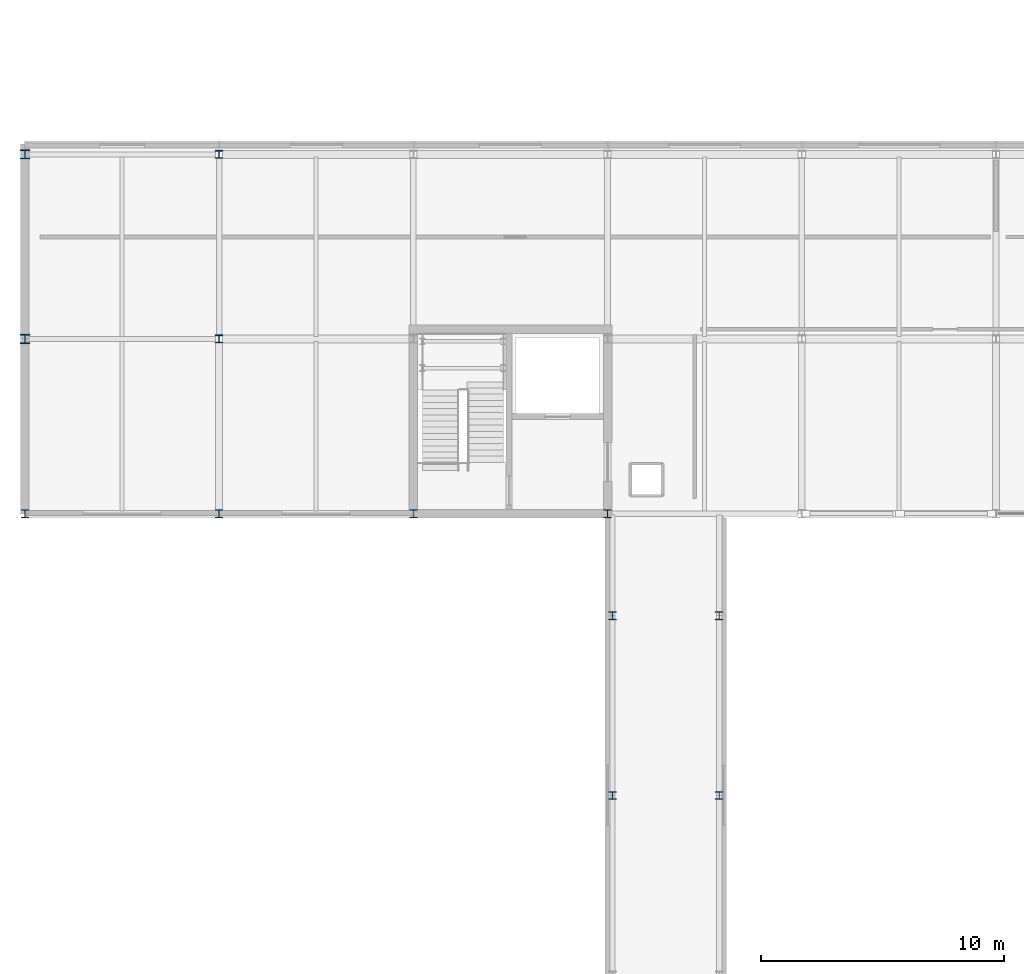
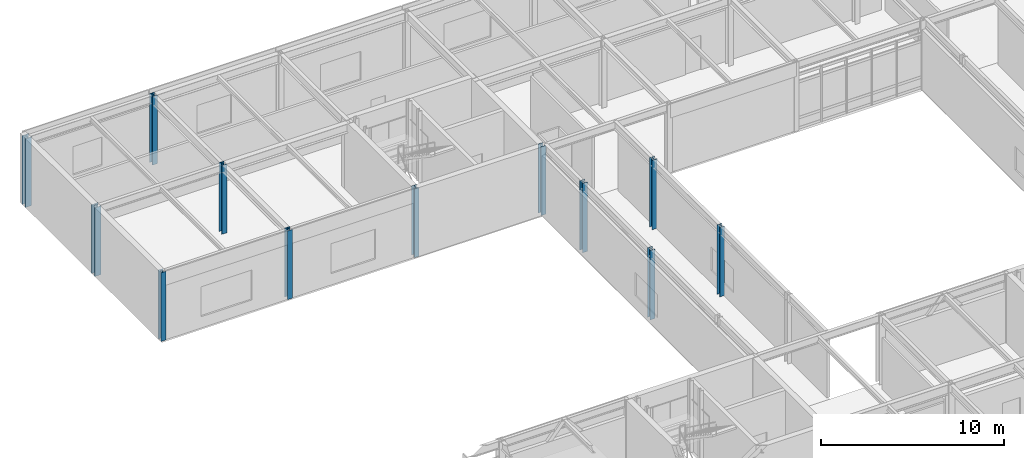
# One storey, part 5 of 104: 12 columns.
"""IFC4 building model written with IfcOpenShell, lengths in metres."""

from ifc_helpers import new_model, si_unit, direction, frame, origin, origin_2d, place, context, subcontext, project, spatial, i_section, extrude, material, material_profile, profile_set, type_object, element, save


model = new_model("IFC4")

# Units and contexts
model_context = context("Model", 3, precision=1e-05, world=origin(), true_north=direction((0.0, 1.0)))
body_context = subcontext(model_context, "Body", "Model", "MODEL_VIEW")
ifc_project = project(units=[si_unit("LENGTHUNIT", "METRE"), si_unit("AREAUNIT", "SQUARE_METRE"), si_unit("VOLUMEUNIT", "CUBIC_METRE"), si_unit("PLANEANGLEUNIT", "RADIAN"), si_unit("MASSUNIT", "GRAM", prefix="KILO")], contexts=[model_context])

# Site, building, storey
site_placement = place(None, origin())
site = spatial("IfcSite", under=ifc_project, at=site_placement, CompositionType="ELEMENT")
building_placement = place(site_placement, origin())
building = spatial("IfcBuilding", under=site, at=building_placement, Name="Zulena Civic Courthouse", CompositionType="ELEMENT")
storey_placement = place(building_placement, frame((0.0, 0.0, 15.60009765625)))
storey = spatial("IfcBuildingStorey", under=building, at=storey_placement, Name="L03", CompositionType="ELEMENT", Elevation=15.60009765625)

# Columns
ifc_material = material(Name="Steel ASTM A992 Grade 50", Category="steel")
ifc_material_profile_1 = material_profile(ifc_material, i_section(OverallWidth=0.31298828125, OverallDepth=0.3330078125, WebThickness=0.01806640625, FlangeThickness=0.0283203125, FilletRadius=0.01513671875, at=origin_2d()), Name="W12X120")
ifc_profile_set_1 = profile_set([ifc_material_profile_1], Name="Steel ASTM A992 Grade 50")
column_type_1 = type_object("IfcColumnType", Name="Col_W12X120", PredefinedType="COLUMN", material=ifc_profile_set_1)
for number, where, z_axis, x_axis, name in (
    (1, (12.0, 53.199951171875, 0.0), (0.0, 0.0, 1.0), (1.0, 0.0, 0.0), "col:V5:L03:12.0:53.2"),
    (2, (12.0, 60.800048828125, 0.0), (0.0, 0.0, 1.0), (1.0, 0.0, 0.0), "col:V5:L03:12.0:60.8"),
):
    element("IfcColumn", number, at=place(storey_placement, frame(where, z_axis=z_axis, x_axis=x_axis)), inside=storey, type_object=column_type_1, Name=name, PredefinedType="COLUMN", context=body_context, shape_type="SweptSolid", body=[
        extrude(i_section(OverallWidth=0.31298828125, OverallDepth=0.3330078125, WebThickness=0.01806640625, FlangeThickness=0.0283203125, FilletRadius=0.01513671875, at=origin_2d()), origin(), (0.0, 0.0, 1.0), 4.58984375),
    ])
ifc_material_profile_2 = material_profile(ifc_material, i_section(OverallWidth=0.306884765625, OverallDepth=0.31396484375, WebThickness=0.011962890625, FlangeThickness=0.018798828125, FilletRadius=0.01513671875, at=origin_2d()), Name="W12X79")
ifc_profile_set_2 = profile_set([ifc_material_profile_2], Name="Steel ASTM A992 Grade 50")
column_type_2 = type_object("IfcColumnType", Name="Col_W12X79", PredefinedType="COLUMN", material=ifc_profile_set_2)
for number, where, z_axis, x_axis, name in (
    (3, (28.199951171875, 34.39990234375, 0.0), (0.0, 0.0, 1.0), (1.0, 0.0, 0.0), "col:bridge:BR-52J:L03:28.20:34.40"),
    (4, (28.199951171875, 41.800048828125, 0.0), (0.0, 0.0, 1.0), (1.0, 0.0, 0.0), "col:bridge:BR-52J:L03:28.20:41.80"),
    (5, (32.60009765625, 34.39990234375, 0.0), (0.0, 0.0, 1.0), (1.0, 0.0, 0.0), "col:bridge:BR-52J:L03:32.60:34.40"),
    (6, (32.60009765625, 41.800048828125, 0.0), (0.0, 0.0, 1.0), (1.0, 0.0, 0.0), "col:bridge:BR-52J:L03:32.60:41.80"),
):
    element("IfcColumn", number, at=place(storey_placement, frame(where, z_axis=z_axis, x_axis=x_axis)), inside=storey, type_object=column_type_2, Name=name, PredefinedType="COLUMN", context=body_context, shape_type="SweptSolid", body=[
        extrude(i_section(OverallWidth=0.306884765625, OverallDepth=0.31396484375, WebThickness=0.011962890625, FlangeThickness=0.018798828125, FilletRadius=0.01513671875, at=origin_2d()), origin(), (0.0, 0.0, 1.0), 4.6298828125),
    ])
ifc_material_profile_3 = material_profile(ifc_material, i_section(OverallWidth=0.30908203125, OverallDepth=0.322998046875, WebThickness=0.013916015625, FlangeThickness=0.02294921875, FilletRadius=0.01513671875, at=origin_2d()), Name="W12X96")
ifc_profile_set_3 = profile_set([ifc_material_profile_3], Name="Steel ASTM A992 Grade 50")
column_type_3 = type_object("IfcColumnType", Name="Col_W12X96", PredefinedType="COLUMN", material=ifc_profile_set_3)
for number, where, z_axis, x_axis, name in (
    (7, (4.0, 46.0, 0.0), (0.0, 0.0, 1.0), (1.0, 0.0, 0.0), "col:V5:L03:4.0:46.0"),
    (8, (12.0, 46.0, 0.0), (0.0, 0.0, 1.0), (1.0, 0.0, 0.0), "col:V5:L03:12.0:46.0"),
    (9, (20.0, 46.0, 0.0), (0.0, 0.0, 1.0), (1.0, 0.0, 0.0), "col:V5:L03:20.0:46.0"),
    (10, (28.0, 46.0, 0.0), (0.0, 0.0, 1.0), (1.0, 0.0, 0.0), "col:V5:L03:28.0:46.0"),
):
    element("IfcColumn", number, at=place(storey_placement, frame(where, z_axis=z_axis, x_axis=x_axis)), inside=storey, type_object=column_type_3, Name=name, PredefinedType="COLUMN", context=body_context, shape_type="SweptSolid", body=[
        extrude(i_section(OverallWidth=0.30908203125, OverallDepth=0.322998046875, WebThickness=0.013916015625, FlangeThickness=0.02294921875, FilletRadius=0.01513671875, at=origin_2d()), origin(), (0.0, 0.0, 1.0), 4.58984375),
    ])
ifc_material_profile_4 = material_profile(ifc_material, i_section(OverallWidth=0.39404296875, OverallDepth=0.3759765625, WebThickness=0.017333984375, FlangeThickness=0.027587890625, FilletRadius=0.01513671875, at=origin_2d()), Name="W14X145")
ifc_profile_set_4 = profile_set([ifc_material_profile_4], Name="Steel ASTM A992 Grade 50")
column_type_4 = type_object("IfcColumnType", Name="Col_W14X145", PredefinedType="COLUMN", material=ifc_profile_set_4)
for number, where, z_axis, x_axis, name in (
    (11, (4.0, 53.199951171875, 0.0), (0.0, 0.0, 1.0), (1.0, 0.0, 0.0), "col:V5:L03:4.0:53.2"),
    (12, (4.0, 60.800048828125, 0.0), (0.0, 0.0, 1.0), (1.0, 0.0, 0.0), "col:V5:L03:4.0:60.8"),
):
    element("IfcColumn", number, at=place(storey_placement, frame(where, z_axis=z_axis, x_axis=x_axis)), inside=storey, type_object=column_type_4, Name=name, PredefinedType="COLUMN", context=body_context, shape_type="SweptSolid", body=[
        extrude(i_section(OverallWidth=0.39404296875, OverallDepth=0.3759765625, WebThickness=0.017333984375, FlangeThickness=0.027587890625, FilletRadius=0.01513671875, at=origin_2d()), origin(), (0.0, 0.0, 1.0), 4.58984375),
    ])

save(model, "model.ifc")
